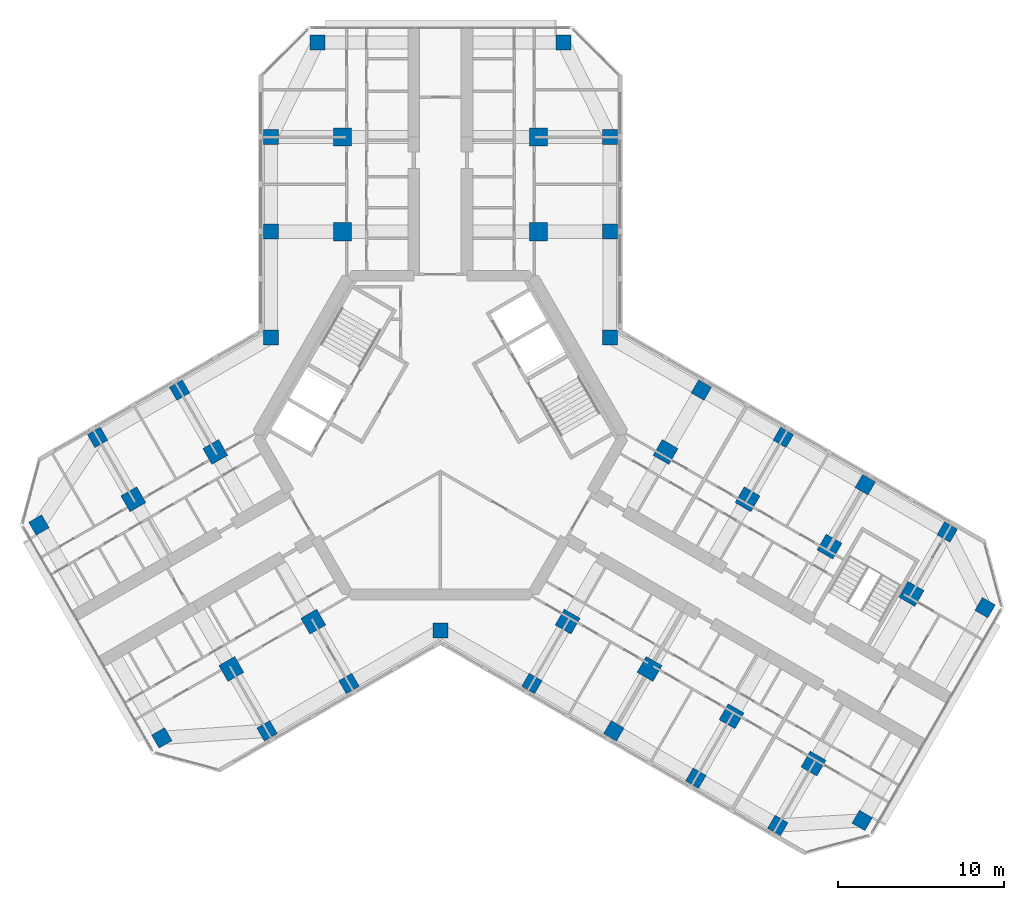
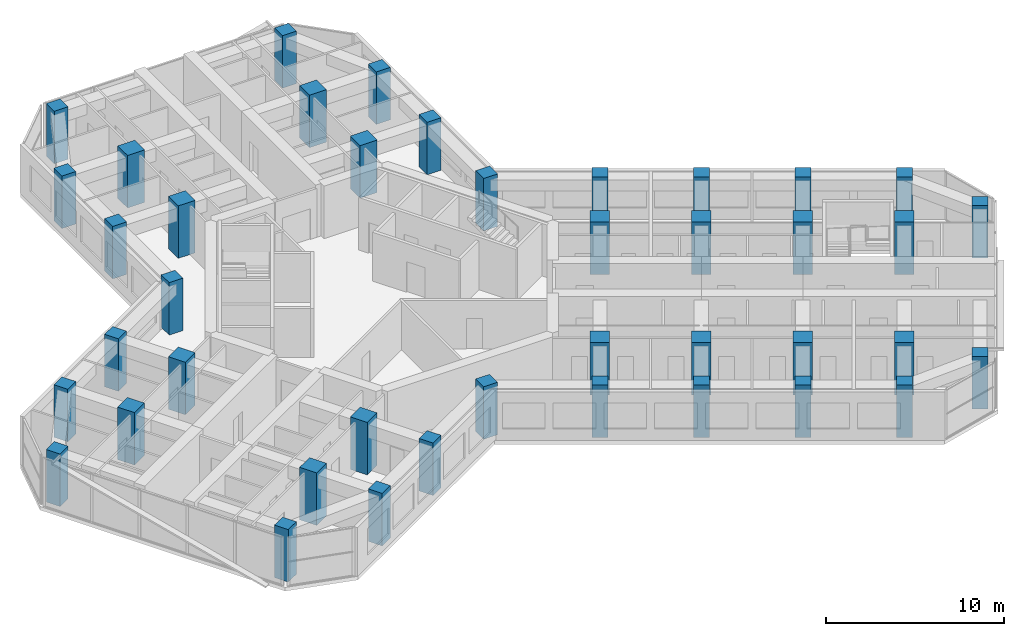
# One storey, part 1 of 16: 41 columns.
"""IFC4 building model written with IfcOpenShell, lengths in metres."""

from ifc_helpers import new_model, si_unit, direction, frame, origin, origin_2d, place, context, subcontext, project, spatial, rectangle, extrude, material, material_profile, profile_set, type_object, element, save


model = new_model("IFC4")

# Units and contexts
model_context = context("Model", 3, precision=1e-05, world=origin(), true_north=direction((0.0, 1.0)))
body_context = subcontext(model_context, "Body", "Model", "MODEL_VIEW")
ifc_project = project(units=[si_unit("LENGTHUNIT", "METRE"), si_unit("AREAUNIT", "SQUARE_METRE"), si_unit("VOLUMEUNIT", "CUBIC_METRE"), si_unit("PLANEANGLEUNIT", "RADIAN"), si_unit("MASSUNIT", "GRAM", prefix="KILO")], contexts=[model_context])

# Site, building, storey
site_placement = place(None, origin())
site = spatial("IfcSite", under=ifc_project, at=site_placement, CompositionType="ELEMENT")
building_placement = place(site_placement, origin())
building = spatial("IfcBuilding", under=site, at=building_placement, Name="Kosmar Iwan School Tower", CompositionType="ELEMENT")
storey_placement = place(building_placement, frame((0.0, 0.0, 204.60009765625)))
storey = spatial("IfcBuildingStorey", under=building, at=storey_placement, Name="L51", CompositionType="ELEMENT", Elevation=204.60009765625)

# Columns
ifc_material_1 = material(Name="Concrete C50/60", Category="concrete")
ifc_material_profile_1 = material_profile(ifc_material_1, rectangle(XDim=0.89990234375, YDim=0.89990234375, at=origin_2d()), Name="RC 900x900 + HD 400x347")
ifc_profile_set_1 = profile_set([ifc_material_profile_1], Name="Concrete C50/60")
column_type_1 = type_object("IfcColumnType", Name="Composite column 900x900 HD 400x347", PredefinedType="COLUMN", material=ifc_profile_set_1)
for number, where, z_axis, x_axis, name in (
    (1, (-10.199951171875, 12.25, 0.0), (0.0, 0.0, 1.0), (0.0, 1.0, 0.0), "Column AL1 L51"),
    (2, (-10.199951171875, 17.949951171875, 0.0), (0.0, 0.0, 1.0), (0.0, 1.0, 0.0), "Column AL2 L51"),
    (3, (-7.39990234375, 23.64990234375, 0.0), (0.0, 0.0, 1.0), (0.0, 1.0, 0.0), "Column ALTIP L51"),
    (4, (10.199951171875, 12.25, 0.0), (0.0, 0.0, 1.0), (0.0, 1.0, 0.0), "Column AR1 L51"),
    (5, (10.199951171875, 17.949951171875, 0.0), (0.0, 0.0, 1.0), (0.0, 1.0, 0.0), "Column AR2 L51"),
    (6, (7.39990234375, 23.64990234375, 0.0), (0.0, 0.0, 1.0), (0.0, 1.0, 0.0), "Column ARTIP L51"),
    (7, (-5.5087890625, -14.95849609375, 0.0), (0.0, 0.0, 1.0), (-0.866025403784, -0.5, 0.0), "Column BL1 L51"),
    (8, (-10.445068359375, -17.808349609375, 0.0), (0.0, 0.0, 1.0), (-0.866025403784, -0.5, 0.0), "Column BL2 L51"),
    (9, (-16.781494140625, -18.233642578125, 0.0), (0.0, 0.0, 1.0), (-0.866025403784, -0.5, 0.0), "Column BLTIP L51"),
    (10, (-15.708740234375, 2.70849609375, 0.0), (0.0, 0.0, 1.0), (-0.866025403784, -0.5, 0.0), "Column BR1 L51"),
    (11, (-20.645263671875, -0.1416015625, 0.0), (0.0, 0.0, 1.0), (-0.866025403784, -0.5, 0.0), "Column BR2 L51"),
    (12, (-24.181396484375, -5.41650390625, 0.0), (0.0, 0.0, 1.0), (-0.866025403784, -0.5, 0.0), "Column BRTIP L51"),
    (13, (15.708740234375, 2.70849609375, 0.0), (0.0, 0.0, 1.0), (0.866025403784, -0.5, 0.0), "Column CL1 L51"),
    (14, (20.645263671875, -0.1416015625, 0.0), (0.0, 0.0, 1.0), (0.866025403784, -0.5, 0.0), "Column CL2 L51"),
    (15, (25.58154296875, -2.991455078125, 0.0), (0.0, 0.0, 1.0), (0.866025403784, -0.5, 0.0), "Column CL3 L51"),
    (16, (30.517822265625, -5.841552734375, 0.0), (0.0, 0.0, 1.0), (0.866025403784, -0.5, 0.0), "Column CL4 L51"),
    (17, (32.79833984375, -10.391357421875, 0.0), (0.0, 0.0, 1.0), (0.866025403784, -0.5, 0.0), "Column CLTIP L51"),
    (18, (5.5087890625, -14.95849609375, 0.0), (0.0, 0.0, 1.0), (0.866025403784, -0.5, 0.0), "Column CR1 L51"),
    (19, (10.445068359375, -17.808349609375, 0.0), (0.0, 0.0, 1.0), (0.866025403784, -0.5, 0.0), "Column CR2 L51"),
    (20, (15.381591796875, -20.658447265625, 0.0), (0.0, 0.0, 1.0), (0.866025403784, -0.5, 0.0), "Column CR3 L51"),
    (21, (20.31787109375, -23.508544921875, 0.0), (0.0, 0.0, 1.0), (0.866025403784, -0.5, 0.0), "Column CR4 L51"),
    (22, (25.3984375, -23.20849609375, 0.0), (0.0, 0.0, 1.0), (0.866025403784, -0.5, 0.0), "Column CRTIP L51"),
    (23, (-10.199951171875, 5.888916015625, 0.0), (0.0, 0.0, 1.0), (1.0, 0.0, 0.0), "Column RAB L51"),
    (24, (10.199951171875, 5.888916015625, 0.0), (0.0, 0.0, 1.0), (1.0, 0.0, 0.0), "Column RAC L51"),
    (25, (0.0, -11.77783203125, 0.0), (0.0, 0.0, 1.0), (1.0, 0.0, 0.0), "Column RBC L51"),
):
    element("IfcColumn", number, at=place(storey_placement, frame(where, z_axis=z_axis, x_axis=x_axis)), inside=storey, type_object=column_type_1, Name=name, PredefinedType="COLUMN", context=body_context, shape_type="SweptSolid", body=[
        extrude(rectangle(XDim=0.89990234375, YDim=0.89990234375, at=origin_2d()), origin(), (0.0, 0.0, 1.0), 3.599853515625),
    ])
ifc_material_2 = material(Name="Concrete C50/60", Category="concrete")
ifc_material_profile_2 = material_profile(ifc_material_2, rectangle(XDim=1.10009765625, YDim=1.10009765625, at=origin_2d()), Name="RC 1100x1100")
ifc_profile_set_2 = profile_set([ifc_material_profile_2], Name="Concrete C50/60")
column_type_2 = type_object("IfcColumnType", Name="RC interior column 1100x1100", PredefinedType="COLUMN", material=ifc_profile_set_2)
for number, where, z_axis, x_axis, name in (
    (26, (-5.89990234375, 12.25, 0.0), (0.0, 0.0, 1.0), (0.0, 1.0, 0.0), "Interior column ALI1 L51"),
    (27, (-5.89990234375, 17.949951171875, 0.0), (0.0, 0.0, 1.0), (0.0, 1.0, 0.0), "Interior column ALI2 L51"),
    (28, (5.89990234375, 12.25, 0.0), (0.0, 0.0, 1.0), (0.0, 1.0, 0.0), "Interior column ARI1 L51"),
    (29, (5.89990234375, 17.949951171875, 0.0), (0.0, 0.0, 1.0), (0.0, 1.0, 0.0), "Interior column ARI2 L51"),
    (30, (-7.65869140625, -11.234619140625, 0.0), (0.0, 0.0, 1.0), (-0.866025403784, -0.5, 0.0), "Interior column BLI1 L51"),
    (31, (-12.59521484375, -14.08447265625, 0.0), (0.0, 0.0, 1.0), (-0.866025403784, -0.5, 0.0), "Interior column BLI2 L51"),
    (32, (-13.558837890625, -1.015380859375, 0.0), (0.0, 0.0, 1.0), (-0.866025403784, -0.5, 0.0), "Interior column BRI1 L51"),
    (33, (-18.4951171875, -3.865478515625, 0.0), (0.0, 0.0, 1.0), (-0.866025403784, -0.5, 0.0), "Interior column BRI2 L51"),
    (34, (13.558837890625, -1.015380859375, 0.0), (0.0, 0.0, 1.0), (0.866025403784, -0.5, 0.0), "Interior column CLI1 L51"),
    (35, (18.4951171875, -3.865478515625, 0.0), (0.0, 0.0, 1.0), (0.866025403784, -0.5, 0.0), "Interior column CLI2 L51"),
    (36, (23.431396484375, -6.71533203125, 0.0), (0.0, 0.0, 1.0), (0.866025403784, -0.5, 0.0), "Interior column CLI3 L51"),
    (37, (28.367919921875, -9.5654296875, 0.0), (0.0, 0.0, 1.0), (0.866025403784, -0.5, 0.0), "Interior column CLI4 L51"),
    (38, (7.65869140625, -11.234619140625, 0.0), (0.0, 0.0, 1.0), (0.866025403784, -0.5, 0.0), "Interior column CRI1 L51"),
    (39, (12.59521484375, -14.08447265625, 0.0), (0.0, 0.0, 1.0), (0.866025403784, -0.5, 0.0), "Interior column CRI2 L51"),
    (40, (17.531494140625, -16.9345703125, 0.0), (0.0, 0.0, 1.0), (0.866025403784, -0.5, 0.0), "Interior column CRI3 L51"),
    (41, (22.4677734375, -19.78466796875, 0.0), (0.0, 0.0, 1.0), (0.866025403784, -0.5, 0.0), "Interior column CRI4 L51"),
):
    element("IfcColumn", number, at=place(storey_placement, frame(where, z_axis=z_axis, x_axis=x_axis)), inside=storey, type_object=column_type_2, Name=name, PredefinedType="COLUMN", context=body_context, shape_type="SweptSolid", body=[
        extrude(rectangle(XDim=1.10009765625, YDim=1.10009765625, at=origin_2d()), origin(), (0.0, 0.0, 1.0), 3.599853515625),
    ])

save(model, "model.ifc")
